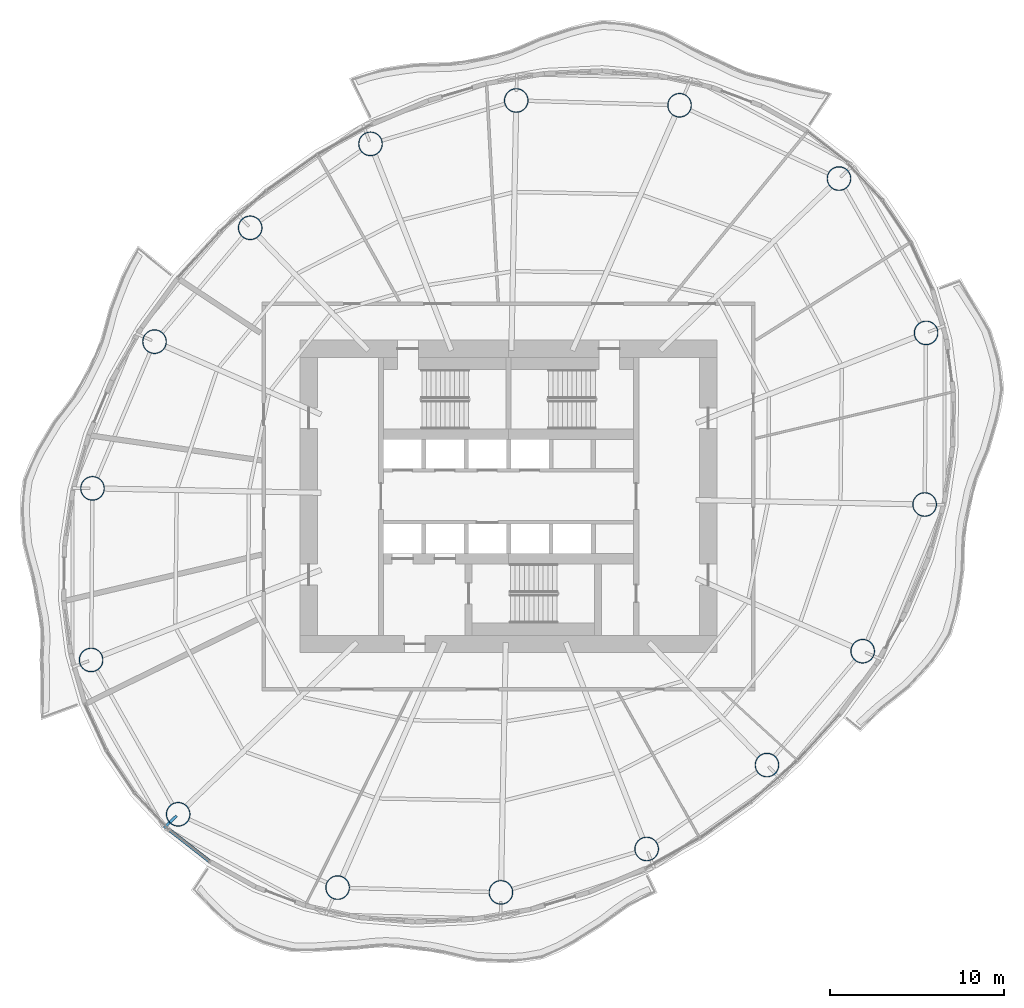
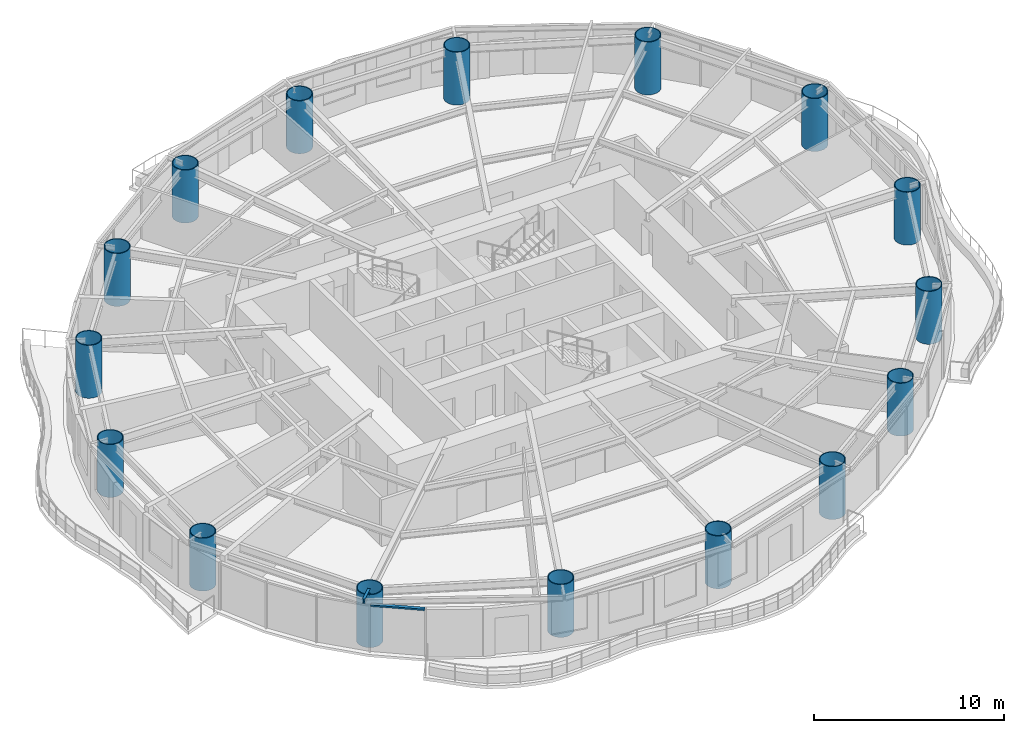
# One storey, part 1 of 14: 16 columns, 1 beam, 1 member, 1 element without a shape of its own.
"""IFC4 building model written with IfcOpenShell, lengths in metres."""

import ifcopenshell
import ifcopenshell.guid

model = None  # the IFC model being written
_history = None  # IfcOwnerHistory: only IFC2X3 demands one
_inside = {}  # id of a spatial element -> (the spatial element, [elements in it])
_under = {}  # id of a project, library or spatial element -> (it, [spatial elements below it])
_declared = {}  # id of a project -> (the project, [libraries it declares])
_typed = {}  # id of a type object -> (the type object, [elements of that type])
_made_of = {}  # id of a material, layer set ... -> (it, [elements and type objects made of it])


def new_model(schema):
    """Start an empty IFC model of exactly this schema.

    Asked for "IFC4X3", IfcOpenShell would pick the latest addendum, in which some entities
    have other attributes; the version numbers below select the first issue.
    IFC2X3 requires an IfcOwnerHistory on every rooted entity: one is made here for all.
    """
    global model, _history
    if schema == "IFC4X3":
        model = ifcopenshell.file(schema_version=(4, 3, 0, 0))
    else:
        model = ifcopenshell.file(schema=schema)
    _inside.clear()
    _under.clear()
    _declared.clear()
    _typed.clear()
    _made_of.clear()
    _history = None
    if model.schema == "IFC2X3":
        org = make("IfcOrganization", Name="unknown")
        user = make(
            "IfcPersonAndOrganization",
            ThePerson=make("IfcPerson", FamilyName="unknown"),
            TheOrganization=org,
        )
        app = make(
            "IfcApplication",
            ApplicationDeveloper=org,
            Version="unknown",
            ApplicationFullName="unknown",
            ApplicationIdentifier="unknown",
        )
        _history = make(
            "IfcOwnerHistory",
            OwningUser=user,
            OwningApplication=app,
            ChangeAction="ADDED",
            CreationDate=0,
        )
    return model


def make(cls, **values):
    """One entity of the class cls with the attributes given. An attribute that is None is left unset."""
    return model.create_entity(
        cls, **{name: value for name, value in values.items() if value is not None}
    )


def rooted(cls, **values):
    """An entity with a GlobalId (a new one), such as an element, a storey or a relation."""
    return make(cls, GlobalId=ifcopenshell.guid.new(), OwnerHistory=_history, **values)


def si_unit(unit_type, name, prefix=None):
    """IfcSIUnit, for example si_unit("LENGTHUNIT", "METRE", prefix="MILLI")."""
    return make("IfcSIUnit", UnitType=unit_type, Prefix=prefix, Name=name)


def assignment(units):
    """IfcUnitAssignment: the units of a project."""
    return None if units is None else make("IfcUnitAssignment", Units=units)


def point(xyz):
    """IfcCartesianPoint."""
    return None if xyz is None else make("IfcCartesianPoint", Coordinates=xyz)


def direction(xyz):
    """IfcDirection."""
    return None if xyz is None else make("IfcDirection", DirectionRatios=xyz)


def frame(location, z_axis=None, x_axis=None):
    """IfcAxis2Placement3D, a coordinate frame: its origin and axes. An axis left out is left unset."""
    return make(
        "IfcAxis2Placement3D",
        Location=point(location),
        Axis=direction(z_axis),
        RefDirection=direction(x_axis),
    )


def frame_2d(location, x_axis=None):
    """IfcAxis2Placement2D, a coordinate frame in the plane: its origin and x axis."""
    return make(
        "IfcAxis2Placement2D", Location=point(location), RefDirection=direction(x_axis)
    )


def origin():
    """The frame at (0, 0, 0) with its axes left unset."""
    return frame((0.0, 0.0, 0.0))


def origin_2d():
    """The frame at (0, 0) in the plane with its x axis left unset."""
    return frame_2d((0.0, 0.0))


def place(relative_to, where):
    """IfcLocalPlacement: puts the frame where relative to a parent placement (None: the world)."""
    return make(
        "IfcLocalPlacement", PlacementRelTo=relative_to, RelativePlacement=where
    )


def context(
    kind, dimensions, precision=None, world=None, true_north=None, identifier=None
):
    """IfcGeometricRepresentationContext, for example the 3D "Model" context."""
    return make(
        "IfcGeometricRepresentationContext",
        ContextIdentifier=identifier,
        ContextType=kind,
        CoordinateSpaceDimension=dimensions,
        Precision=precision,
        WorldCoordinateSystem=world,
        TrueNorth=true_north,
    )


def subcontext(parent, identifier, kind, view, scale=None):
    """IfcGeometricRepresentationSubContext, for example "Body" below "Model"."""
    return make(
        "IfcGeometricRepresentationSubContext",
        ContextIdentifier=identifier,
        ContextType=kind,
        ParentContext=parent,
        TargetScale=scale,
        TargetView=view,
    )


def project(units=None, contexts=None):
    """IfcProject with its units and contexts."""
    return rooted(
        "IfcProject",
        Name="project",
        RepresentationContexts=contexts,
        UnitsInContext=assignment(units),
    )


def spatial(cls, under=None, at=None, **own):
    """A site, building, storey or space (cls), placed at a placement, below another one or the project."""
    s = rooted(cls, ObjectPlacement=at, **own)
    if under is not None:
        _under.setdefault(under.id(), (under, []))[1].append(s)
    return s


def profile(cls, at=None, kind="AREA", **sizes):
    """A parametric profile (cls). Its sizes go by their IFC names, for example OverallWidth=200.0."""
    return make(cls, ProfileType=kind, Position=at, **sizes)


def rectangle(**sizes):
    """IfcRectangleProfileDef."""
    return profile("IfcRectangleProfileDef", **sizes)


def hollow_circle(**sizes):
    """IfcCircleHollowProfileDef."""
    return profile("IfcCircleHollowProfileDef", **sizes)


def i_section(**sizes):
    """IfcIShapeProfileDef."""
    return profile("IfcIShapeProfileDef", **sizes)


def extrude(swept, where, along, depth):
    """IfcExtrudedAreaSolid: the profile swept, set in the frame where, extruded along a direction by depth."""
    return make(
        "IfcExtrudedAreaSolid",
        SweptArea=swept,
        Position=where,
        ExtrudedDirection=direction(along),
        Depth=depth,
    )


def shape(context_of_items, identifier, shape_type, items):
    """IfcShapeRepresentation: the items that make up one representation, for example the "Body"."""
    return make(
        "IfcShapeRepresentation",
        ContextOfItems=context_of_items,
        RepresentationIdentifier=identifier,
        RepresentationType=shape_type,
        Items=items,
    )


def material(Name=None, Category=None):
    """IfcMaterial."""
    return make("IfcMaterial", Name=Name, Category=Category)


def material_profile(
    of_material, cross_section, Name=None, Category=None, Priority=None
):
    """IfcMaterialProfile: a cross section and its material."""
    return make(
        "IfcMaterialProfile",
        Name=Name,
        Material=of_material,
        Profile=cross_section,
        Priority=Priority,
        Category=Category,
    )


def profile_set(profiles, Name=None, composite=None):
    """IfcMaterialProfileSet."""
    return make(
        "IfcMaterialProfileSet",
        Name=Name,
        MaterialProfiles=profiles,
        CompositeProfile=composite,
    )


def made_of(thing, what):
    """Note that an element or type object is made of a material, layer set ...; save() writes the relation."""
    if what is not None:
        _made_of.setdefault(what.id(), (what, []))[1].append(thing)
    return thing


def type_object(cls, material=None, **own):
    """A type object (cls), such as IfcWallType, which elements share."""
    return made_of(rooted(cls, **own), material)


def element(
    cls,
    number,
    at=None,
    inside=None,
    cuts=None,
    type_object=None,
    material=None,
    context=None,
    identifier="Body",
    shape_type=None,
    held_by="IfcProductDefinitionShape",
    body=None,
    shapes=None,
    **own,
):
    """One element of the class cls, such as IfcWall. Its Tag is "e" and its number.

    at: its placement. inside: the storey or other place that contains it. cuts: it is an
    opening in that element (IfcRelVoidsElement). A single representation is given by context,
    identifier, shape_type and body (its items); several are given by shapes. held_by: the class
    of the entity that holds the representations. save() writes the other relations.
    """
    e = rooted(cls, Tag="e%d" % number, ObjectPlacement=at, **own)
    if body is not None:
        shapes = [shape(context, identifier, shape_type, body)]
    if shapes is not None:
        e.Representation = make(held_by, Representations=shapes)
    if inside is not None:
        _inside.setdefault(inside.id(), (inside, []))[1].append(e)
    if cuts is not None:
        rooted(
            "IfcRelVoidsElement", RelatingBuildingElement=cuts, RelatedOpeningElement=e
        )
    if type_object is not None:
        _typed.setdefault(type_object.id(), (type_object, []))[1].append(e)
    return made_of(e, material)


def aggregate(whole, parts):
    """IfcRelAggregates: a whole, such as a stair, and the parts it consists of."""
    return rooted("IfcRelAggregates", RelatingObject=whole, RelatedObjects=parts)


def save(model, path):
    """Write the relations noted so far, then the file.

    IfcRelAggregates (storeys below a building ...), IfcRelContainedInSpatialStructure (elements
    in a storey), IfcRelDefinesByType, IfcRelAssociatesMaterial and IfcRelDeclares: one each for
    every whole, place, type object, material and project.
    """
    for whole, parts in _under.values():
        aggregate(whole, parts)
    for where, things in _inside.values():
        rooted(
            "IfcRelContainedInSpatialStructure",
            RelatedElements=things,
            RelatingStructure=where,
        )
    for kind, things in _typed.values():
        rooted("IfcRelDefinesByType", RelatedObjects=things, RelatingType=kind)
    for what, things in _made_of.values():
        rooted("IfcRelAssociatesMaterial", RelatedObjects=things, RelatingMaterial=what)
    for by, libraries in _declared.values():
        rooted("IfcRelDeclares", RelatingContext=by, RelatedDefinitions=libraries)
    model.write(path)


model = new_model("IFC4")

# Units and contexts
model_context = context("Model", 3, precision=1e-05, world=origin(), true_north=direction((0.0, 1.0)))
body_context = subcontext(model_context, "Body", "Model", "MODEL_VIEW")
ifc_project = project(units=[si_unit("LENGTHUNIT", "METRE"), si_unit("AREAUNIT", "SQUARE_METRE"), si_unit("VOLUMEUNIT", "CUBIC_METRE"), si_unit("PLANEANGLEUNIT", "RADIAN"), si_unit("MASSUNIT", "GRAM", prefix="KILO")], contexts=[model_context])

# Site, building, storey
site_placement = place(None, origin())
site = spatial("IfcSite", under=ifc_project, at=site_placement, CompositionType="ELEMENT")
building_placement = place(site_placement, origin())
building = spatial("IfcBuilding", under=site, at=building_placement, Name="Vermilion Reach Broadcast Tower", CompositionType="ELEMENT")
storey_placement = place(building_placement, frame((0.0, 0.0, 186.60009765625)))
storey = spatial("IfcBuildingStorey", under=building, at=storey_placement, Name="L45", CompositionType="ELEMENT", Elevation=186.60009765625)

# Columns
ifc_material_1 = material(Name="Concrete C70 infill in steel S460NL tube", Category="concrete")
ifc_material_profile_1 = material_profile(ifc_material_1, hollow_circle(Radius=0.699951171875, WallThickness=0.050048828125, at=origin_2d()), Name="Concrete C70 infill in steel S460NL tube CFT 1400x50")
ifc_profile_set_1 = profile_set([ifc_material_profile_1], Name="Concrete C70 infill in steel S460NL tube")
column_type = type_object("IfcColumnType", Name="MC3 CFT 1400x50", PredefinedType="COLUMN", material=ifc_profile_set_1)
for number, where, z_axis, x_axis, name in (
    (1, (13.02587890625, 18.302734375, 0.0), (0.0, 0.0, 1.0), (1.0, 0.0, 0.0), "Mega-column MC3-01"),
    (2, (3.84521484375, 22.524169921875, 0.0), (0.0, 0.0, 1.0), (1.0, 0.0, 0.0), "Mega-column MC3-02"),
    (3, (-5.558349609375, 22.800048828125, 0.0), (0.0, 0.0, 1.0), (1.0, 0.0, 0.0), "Mega-column MC3-03"),
    (4, (-13.95166015625, 20.30078125, 0.0), (0.0, 0.0, 1.0), (1.0, 0.0, 0.0), "Mega-column MC3-04"),
    (5, (-20.879150390625, 15.46728515625, 0.0), (0.0, 0.0, 1.0), (1.0, 0.0, 0.0), "Mega-column MC3-05"),
    (6, (-26.38818359375, 8.91162109375, 0.0), (0.0, 0.0, 1.0), (1.0, 0.0, 0.0), "Mega-column MC3-06"),
    (7, (-29.95947265625, 0.464111328125, 0.0), (0.0, 0.0, 1.0), (1.0, 0.0, 0.0), "Mega-column MC3-07"),
    (8, (-30.04052734375, -9.41650390625, 0.0), (0.0, 0.0, 1.0), (1.0, 0.0, 0.0), "Mega-column MC3-08"),
    (9, (-25.02587890625, -18.302734375, 0.0), (0.0, 0.0, 1.0), (1.0, 0.0, 0.0), "Mega-column MC3-09"),
    (10, (-15.84521484375, -22.524169921875, 0.0), (0.0, 0.0, 1.0), (1.0, 0.0, 0.0), "Mega-column MC3-10"),
    (11, (-6.441650390625, -22.800048828125, 0.0), (0.0, 0.0, 1.0), (1.0, 0.0, 0.0), "Mega-column MC3-11"),
    (12, (1.95166015625, -20.30078125, 0.0), (0.0, 0.0, 1.0), (1.0, 0.0, 0.0), "Mega-column MC3-12"),
    (13, (8.879150390625, -15.46728515625, 0.0), (0.0, 0.0, 1.0), (1.0, 0.0, 0.0), "Mega-column MC3-13"),
    (14, (14.38818359375, -8.91162109375, 0.0), (0.0, 0.0, 1.0), (1.0, 0.0, 0.0), "Mega-column MC3-14"),
    (15, (17.95947265625, -0.464111328125, 0.0), (0.0, 0.0, 1.0), (1.0, 0.0, 0.0), "Mega-column MC3-15"),
    (16, (18.04052734375, 9.41650390625, 0.0), (0.0, 0.0, 1.0), (1.0, 0.0, 0.0), "Mega-column MC3-16"),
):
    element("IfcColumn", number, at=place(storey_placement, frame(where, z_axis=z_axis, x_axis=x_axis)), inside=storey, type_object=column_type, Name=name, PredefinedType="COLUMN", context=body_context, shape_type="SweptSolid", body=[
        extrude(hollow_circle(Radius=0.699951171875, WallThickness=0.050048828125, at=origin_2d()), origin(), (0.0, 0.0, 1.0), 3.39990234375),
    ])

# Beam
ifc_material_2 = material(Name="Steel S355J2", Category="steel")
ifc_material_profile_2 = material_profile(ifc_material_2, i_section(OverallWidth=0.14990234375, OverallDepth=0.300048828125, WebThickness=0.006591796875, FlangeThickness=0.009033203125, at=origin_2d()), Name="S355J2 HN 300x150x6.5x9")
ifc_profile_set_2 = profile_set([ifc_material_profile_2], Name="Steel S355J2")
beam_type = type_object("IfcBeamType", Name="GS3 HN 300x150x6.5x9", PredefinedType="BEAM", material=ifc_profile_set_2)
beam_placement = place(storey_placement, frame((-25.115478515625, -18.388916015625, 3.25), z_axis=(-0.720767376164, -0.69317702606, 0.0), x_axis=(0.69317702606, -0.720767376164, 0.0)))
element("IfcBeam", 17, at=beam_placement, inside=storey, type_object=beam_type, Name="Cantilever stub GS3-09", PredefinedType="BEAM", context=body_context, shape_type="SweptSolid", body=[
    extrude(i_section(OverallWidth=0.14990234375, OverallDepth=0.300048828125, WebThickness=0.006591796875, FlangeThickness=0.009033203125, at=origin_2d()), origin(), (0.0, 0.0, 1.0), 1.0),
])

# Curtain wall, member
ifc_material_3 = material(Name="Low-e laminated clear glass in aluminium frame", Category="aluminium")
curtain_wall_type = type_object("IfcCurtainWallType", Name="Slot curtain wall", PredefinedType="NOTDEFINED", material=ifc_material_3)
curtain_wall_placement = place(storey_placement, origin())
curtain_wall = element("IfcCurtainWall", 18, at=curtain_wall_placement, inside=storey, type_object=curtain_wall_type, Name="Slot curtain wall L45 25", PredefinedType="NOTDEFINED")
ifc_material_4 = material(Name="Anodised aluminium", Category="aluminium")
ifc_material_profile_3 = material_profile(ifc_material_4, rectangle(XDim=0.199951171875, YDim=0.10009765625, at=origin_2d()), Name="Slot transom 200 x 100")
ifc_profile_set_3 = profile_set([ifc_material_profile_3], Name="Anodised aluminium")
member_type = type_object("IfcMemberType", Name="Slot transom 200 x 100", PredefinedType="USERDEFINED", material=ifc_profile_set_3)
member_placement = place(storey_placement, frame((-25.495849609375, -19.230712890625, 3.0), z_axis=(0.788460326534, -0.615085614758, 0.0), x_axis=(0.615085614758, 0.788460326534, 0.0)))
member = element("IfcMember", 19, at=member_placement, type_object=member_type, Name="Slot transom L45 25.1", ObjectType="TRANSOM", PredefinedType="USERDEFINED", context=body_context, shape_type="SweptSolid", body=[
    extrude(rectangle(XDim=0.199951171875, YDim=0.10009765625, at=origin_2d()), origin(), (0.0, 0.0, 1.0), 2.876953125),
])
aggregate(curtain_wall, [member])

save(model, "model.ifc")
